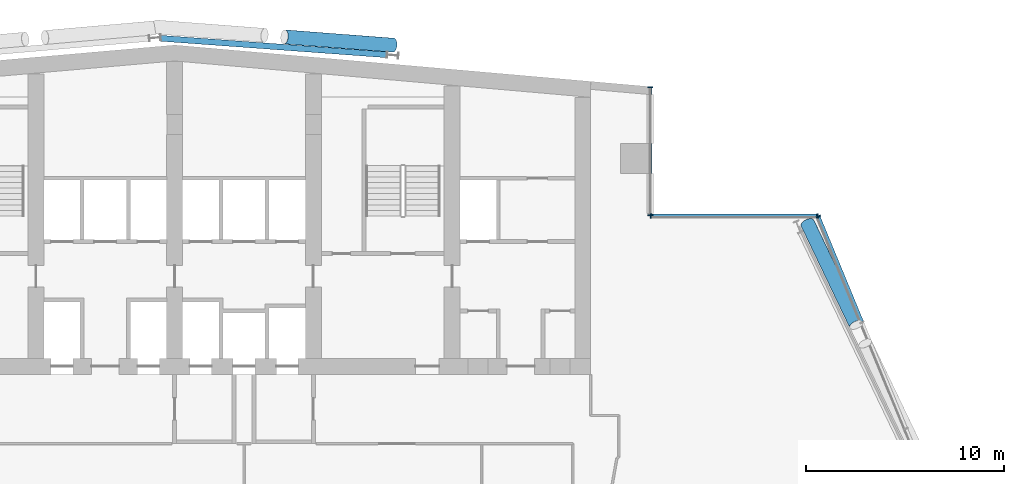
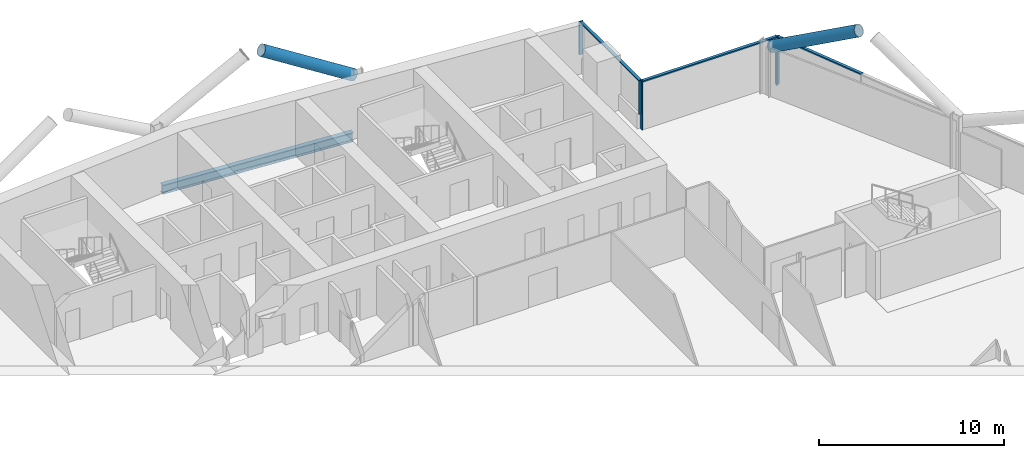
# One storey, part 10 of 26: 10 members, 1 beam, 3 elements without a shape of their own.
"""IFC4 building model written with IfcOpenShell, lengths in metres."""

from ifc_helpers import new_model, si_unit, direction, frame, origin, origin_2d, place, context, subcontext, project, spatial, rectangle, hollow_circle, i_section, extrude, material, material_profile, profile_set, type_object, element, aggregate, save


model = new_model("IFC4")

# Units and contexts
model_context = context("Model", 3, precision=1e-05, world=origin(), true_north=direction((0.0, 1.0)))
body_context = subcontext(model_context, "Body", "Model", "MODEL_VIEW")
ifc_project = project(units=[si_unit("LENGTHUNIT", "METRE"), si_unit("AREAUNIT", "SQUARE_METRE"), si_unit("VOLUMEUNIT", "CUBIC_METRE"), si_unit("PLANEANGLEUNIT", "RADIAN"), si_unit("MASSUNIT", "GRAM", prefix="KILO")], contexts=[model_context])

# Site, building, storey
site_placement = place(None, origin())
site = spatial("IfcSite", under=ifc_project, at=site_placement, CompositionType="ELEMENT")
building_placement = place(site_placement, origin())
building = spatial("IfcBuilding", under=site, at=building_placement, Name="Wharfspan Tower", CompositionType="ELEMENT")
storey_placement = place(building_placement, frame((0.0, 0.0, 177.100098)))
storey = spatial("IfcBuildingStorey", under=building, at=storey_placement, Name="L43", CompositionType="ELEMENT", Elevation=177.100098)

# Beam
ifc_material_1 = material(Name="Steel S355J2", Category="steel")
ifc_material_profile_1 = material_profile(ifc_material_1, i_section(OverallWidth=0.300049, OverallDepth=0.600098, WebThickness=0.015381, FlangeThickness=0.030029, FilletRadius=0.0271, at=origin_2d()))
ifc_profile_set_1 = profile_set([ifc_material_profile_1], Name="Steel S355J2")
beam_type = type_object("IfcBeamType", Name="Edge beam HEB 600", PredefinedType="SPANDREL", material=ifc_profile_set_1)
beam_placement = place(storey_placement, frame((36.299072, 50.965332, -0.700195), z_axis=(0.997353, -0.072713, 0.0), x_axis=(0.072713, 0.997353, 0.0)))
element("IfcBeam", 1, at=beam_placement, inside=storey, type_object=beam_type, Name="Edge beam L43 R.2 to R.3", PredefinedType="SPANDREL", context=body_context, shape_type="SweptSolid", body=[
    extrude(i_section(OverallWidth=0.300049, OverallDepth=0.600098, WebThickness=0.015381, FlangeThickness=0.030029, FilletRadius=0.0271, at=origin_2d()), origin(), (0.0, 0.0, 1.0), 11.436035),
])

# Curtain wall, member
ifc_material_2 = material(Name="Aluminium 6063-T6", Category="aluminium")
curtain_wall_type = type_object("IfcCurtainWallType", Name="CURTAIN WALL PROW AND END", PredefinedType="NOTDEFINED", material=ifc_material_2)
curtain_wall_1_placement = place(storey_placement, origin())
curtain_wall_1 = element("IfcCurtainWall", 2, at=curtain_wall_1_placement, inside=storey, type_object=curtain_wall_type, Name="Curtain wall E", PredefinedType="NOTDEFINED")
ifc_material_profile_2 = material_profile(ifc_material_2, rectangle(XDim=0.23999, YDim=0.060059, at=origin_2d()))
ifc_profile_set_2 = profile_set([ifc_material_profile_2], Name="Aluminium 6063-T6")
member_type_1 = type_object("IfcMemberType", Name="MULLION PROW AND END 60x240", PredefinedType="MULLION", material=ifc_profile_set_2)
member_1_placement = place(storey_placement, frame((69.488525, 41.972168, 0.0), z_axis=(0.0, 0.0, 1.0), x_axis=(-0.924325, -0.381602, 0.0)))
member_1 = element("IfcMember", 3, at=member_1_placement, type_object=member_type_1, Name="Curtain wall E mullion 8", PredefinedType="MULLION", context=body_context, shape_type="SweptSolid", body=[
    extrude(rectangle(XDim=0.23999, YDim=0.060059, at=origin_2d()), origin(), (0.0, 0.0, 1.0), 3.199951),
])

# Curtain wall, members
curtain_wall_2_placement = place(storey_placement, origin())
curtain_wall_2 = element("IfcCurtainWall", 4, at=curtain_wall_2_placement, inside=storey, type_object=curtain_wall_type, Name="Curtain wall NRE-H", PredefinedType="NOTDEFINED")
member_2_placement = place(storey_placement, frame((69.447021, 42.0, 0.0), z_axis=(0.0, 0.0, 1.0), x_axis=(0.0, -1.0, 0.0)))
member_2 = element("IfcMember", 5, at=member_2_placement, type_object=member_type_1, Name="Curtain wall NRE-H mullion 1", PredefinedType="MULLION", context=body_context, shape_type="SweptSolid", body=[
    extrude(rectangle(XDim=0.23999, YDim=0.060059, at=origin_2d()), origin(), (0.0, 0.0, 1.0), 3.199951),
])
member_3_placement = place(storey_placement, frame((61.030029, 42.0, 0.0), z_axis=(0.0, 0.0, 1.0), x_axis=(0.0, -1.0, 0.0)))
member_3 = element("IfcMember", 6, at=member_3_placement, type_object=member_type_1, Name="Curtain wall NRE-H mullion 2", PredefinedType="MULLION", context=body_context, shape_type="SweptSolid", body=[
    extrude(rectangle(XDim=0.23999, YDim=0.060059, at=origin_2d()), origin(), (0.0, 0.0, 1.0), 3.199951),
])

curtain_wall_3_placement = place(storey_placement, origin())
curtain_wall_3 = element("IfcCurtainWall", 7, at=curtain_wall_3_placement, inside=storey, type_object=curtain_wall_type, Name="Curtain wall NRE-V", PredefinedType="NOTDEFINED")
member_4_placement = place(storey_placement, frame((61.0, 42.030029, 1.0), z_axis=(0.0, 0.0, 1.0), x_axis=(-1.0, 0.0, 0.0)))
member_4 = element("IfcMember", 8, at=member_4_placement, type_object=member_type_1, Name="Curtain wall NRE-V mullion 1", PredefinedType="MULLION", context=body_context, shape_type="SweptSolid", body=[
    extrude(rectangle(XDim=0.23999, YDim=0.060059, at=origin_2d()), origin(), (0.0, 0.0, 1.0), 2.199951),
])
member_5_placement = place(storey_placement, frame((61.0, 48.494873, 1.0), z_axis=(0.0, 0.0, 1.0), x_axis=(-1.0, 0.0, 0.0)))
member_5 = element("IfcMember", 9, at=member_5_placement, type_object=member_type_1, Name="Curtain wall NRE-V mullion 2", PredefinedType="MULLION", context=body_context, shape_type="SweptSolid", body=[
    extrude(rectangle(XDim=0.23999, YDim=0.060059, at=origin_2d()), origin(), (0.0, 0.0, 1.0), 2.199951),
])

# Members
ifc_material_3 = material(Name="Steel S460NH", Category="steel")
ifc_material_profile_3 = material_profile(ifc_material_3, hollow_circle(Radius=0.355469, WallThickness=0.035889, at=origin_2d()))
ifc_profile_set_3 = profile_set([ifc_material_profile_3], Name="Steel S460NH")
member_type_2 = type_object("IfcMemberType", Name="Mega brace CHS 711x36", PredefinedType="BRACE", material=ifc_profile_set_3)
member_6_placement = place(storey_placement, frame((68.938721, 41.643066, 2.899902), z_axis=(0.374119, -0.780731, 0.500494), x_axis=(0.90181, 0.432137, -3e-06)))
element("IfcMember", 10, at=member_6_placement, inside=storey, type_object=member_type_2, Name="Mega brace E6 L44 part 3", PredefinedType="BRACE", context=body_context, shape_type="SweptSolid", body=[
    extrude(hollow_circle(Radius=0.355469, WallThickness=0.035889, at=origin_2d()), origin(), (0.0, 0.0, 1.0), 6.581787),
])
member_7_placement = place(storey_placement, frame((48.036865, 50.617676, 2.899902), z_axis=(-0.855612, 0.065363, 0.513474), x_axis=(-0.07617, -0.997093, 2e-06)))
element("IfcMember", 11, at=member_7_placement, inside=storey, type_object=member_type_2, Name="Mega brace N8 L44 part 3", PredefinedType="BRACE", context=body_context, shape_type="SweptSolid", body=[
    extrude(hollow_circle(Radius=0.355469, WallThickness=0.035889, at=origin_2d()), origin(), (0.0, 0.0, 1.0), 6.420654),
])

# Member
ifc_material_profile_4 = material_profile(ifc_material_2, rectangle(XDim=0.179932, YDim=0.080078, at=origin_2d()))
ifc_profile_set_4 = profile_set([ifc_material_profile_4], Name="Aluminium 6063-T6")
member_type_3 = type_object("IfcMemberType", Name="TRANSOM PROW AND END 80x180", PredefinedType="USERDEFINED", material=ifc_profile_set_4)
member_8_placement = place(storey_placement, frame((71.683105, 36.65625, 3.159912), z_axis=(-0.38158, 0.924336, 0.0), x_axis=(-0.924336, -0.38158, 0.0)))
member_8 = element("IfcMember", 12, at=member_8_placement, type_object=member_type_3, Name="Curtain wall E transom 7", ObjectType="TRANSOM", PredefinedType="USERDEFINED", context=body_context, shape_type="SweptSolid", body=[
    extrude(rectangle(XDim=0.179932, YDim=0.080078, at=origin_2d()), origin(), (0.0, 0.0, 1.0), 5.721191),
])

aggregate(curtain_wall_1, [member_1, member_8])

member_9_placement = place(storey_placement, frame((69.416992, 42.0, 3.159912), z_axis=(-1.0, 0.0, 0.0), x_axis=(0.0, -1.0, 0.0)))
member_9 = element("IfcMember", 13, at=member_9_placement, type_object=member_type_3, Name="Curtain wall NRE-H transom 1", ObjectType="TRANSOM", PredefinedType="USERDEFINED", context=body_context, shape_type="SweptSolid", body=[
    extrude(rectangle(XDim=0.179932, YDim=0.080078, at=origin_2d()), origin(), (0.0, 0.0, 1.0), 8.356934),
])

aggregate(curtain_wall_2, [member_2, member_3, member_9])

member_10_placement = place(storey_placement, frame((61.0, 42.060059, 3.159912), z_axis=(0.0, 1.0, 0.0), x_axis=(-1.0, 0.0, 0.0)))
member_10 = element("IfcMember", 14, at=member_10_placement, type_object=member_type_3, Name="Curtain wall NRE-V transom 1", ObjectType="TRANSOM", PredefinedType="USERDEFINED", context=body_context, shape_type="SweptSolid", body=[
    extrude(rectangle(XDim=0.179932, YDim=0.080078, at=origin_2d()), origin(), (0.0, 0.0, 1.0), 6.404785),
])

aggregate(curtain_wall_3, [member_4, member_5, member_10])

save(model, "model.ifc")
